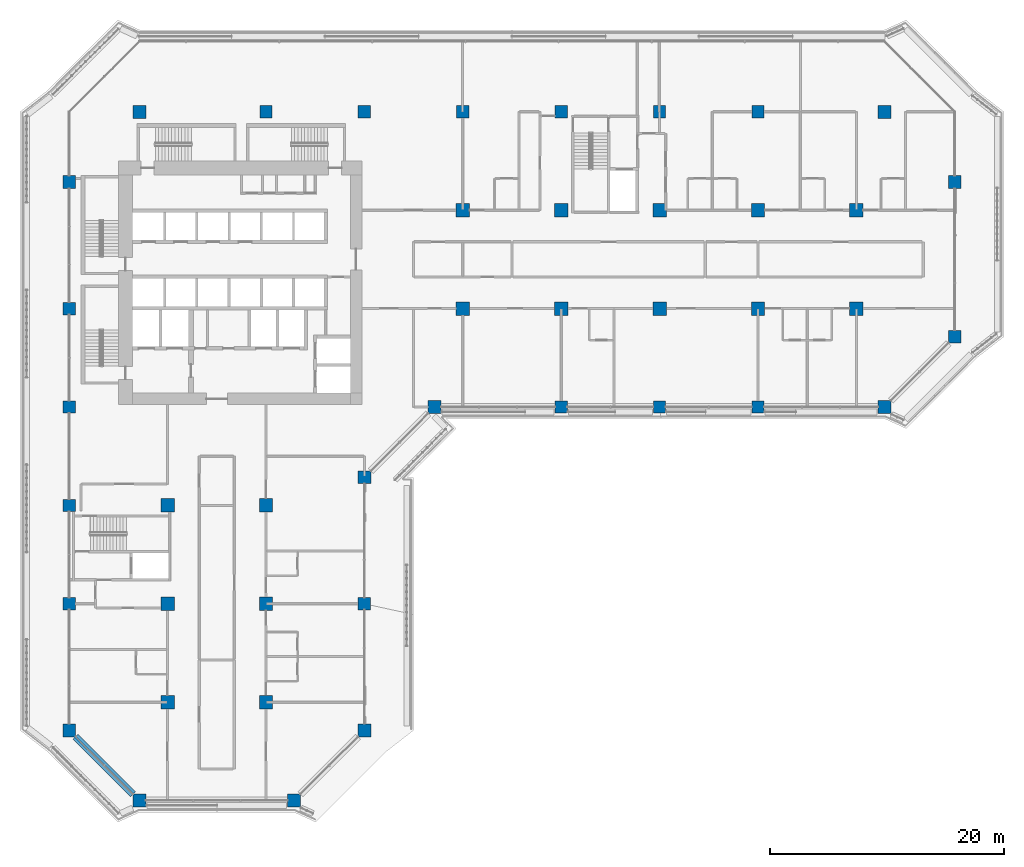
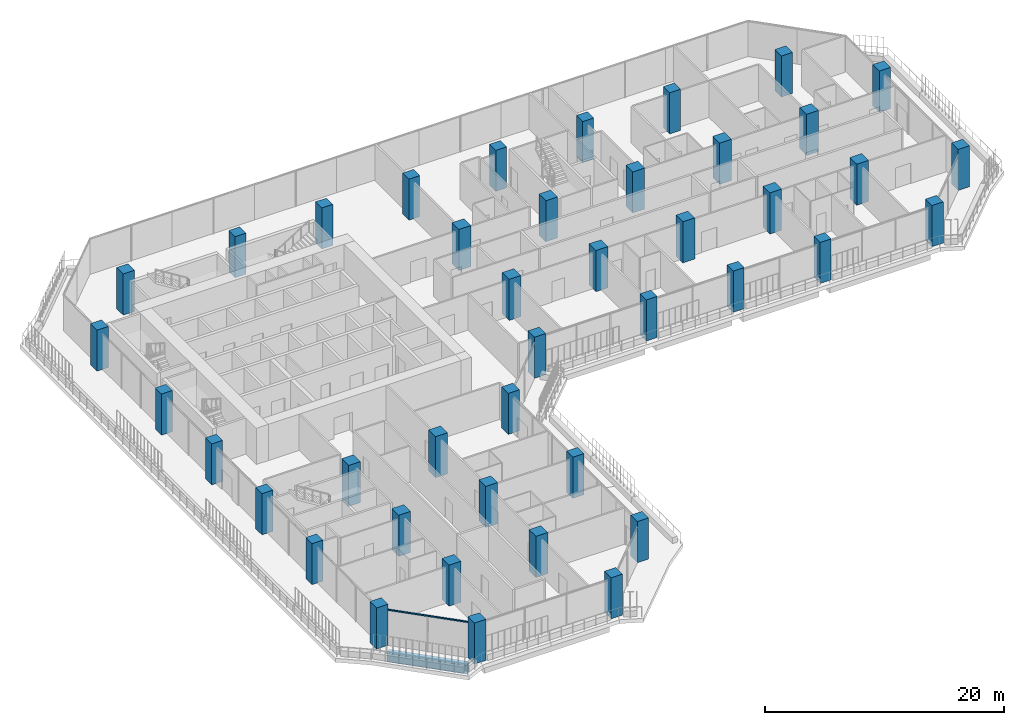
# One storey, part 1 of 23: 42 columns, 1 beam, 1 member, 1 element without a shape of its own.
"""IFC4 building model written with IfcOpenShell, lengths in metres."""

from ifc_helpers import new_model, si_unit, direction, frame, origin, origin_2d, place, context, subcontext, project, spatial, rectangle, extrude, material, layer, layer_set, material_profile, profile_set, type_object, element, aggregate, save


model = new_model("IFC4")

# Units and contexts
model_context = context("Model", 3, precision=1e-05, world=origin(), true_north=direction((0.0, 1.0)))
body_context = subcontext(model_context, "Body", "Model", "MODEL_VIEW")
ifc_project = project(units=[si_unit("LENGTHUNIT", "METRE"), si_unit("AREAUNIT", "SQUARE_METRE"), si_unit("VOLUMEUNIT", "CUBIC_METRE"), si_unit("PLANEANGLEUNIT", "RADIAN"), si_unit("MASSUNIT", "GRAM", prefix="KILO")], contexts=[model_context])

# Site, building, storey
site_placement = place(None, origin())
site = spatial("IfcSite", under=ifc_project, at=site_placement, CompositionType="ELEMENT")
building_placement = place(site_placement, origin())
building = spatial("IfcBuilding", under=site, at=building_placement, Name="Kawkab Arch Medical Tower", CompositionType="ELEMENT")
storey_placement = place(building_placement, frame((0.0, 0.0, 149.199951171875)))
storey = spatial("IfcBuildingStorey", under=building, at=storey_placement, Name="L34", CompositionType="ELEMENT", Elevation=149.199951171875)

# Columns
ifc_material_1 = material(Name="Concrete C55/67", Category="concrete")
ifc_material_profile_1 = material_profile(ifc_material_1, rectangle(XDim=1.050048828125, YDim=1.050048828125, at=origin_2d()), Name="RC 1050x1050")
ifc_profile_set_1 = profile_set([ifc_material_profile_1], Name="Concrete C55/67")
column_type_1 = type_object("IfcColumnType", Name="RC 1050x1050 column C55/67", PredefinedType="COLUMN", material=ifc_profile_set_1)
for number, where, z_axis, x_axis, name in (
    (1, (16.800048828125, 0.0, 0.0), (0.0, 0.0, 1.0), (1.0, 0.0, 0.0), "Column RC 1050x1050"),
    (2, (25.199951171875, 0.0, 0.0), (0.0, 0.0, 1.0), (1.0, 0.0, 0.0), "Column RC 1050x1050"),
    (3, (33.60009765625, 0.0, 0.0), (0.0, 0.0, 1.0), (1.0, 0.0, 0.0), "Column RC 1050x1050"),
    (4, (42.0, 0.0, 0.0), (0.0, 0.0, 1.0), (1.0, 0.0, 0.0), "Column RC 1050x1050"),
    (5, (50.39990234375, 0.0, 0.0), (0.0, 0.0, 1.0), (1.0, 0.0, 0.0), "Column RC 1050x1050"),
    (6, (58.800048828125, 0.0, 0.0), (0.0, 0.0, 1.0), (1.0, 0.0, 0.0), "Column RC 1050x1050"),
    (7, (0.0, -16.800048828125, 0.0), (0.0, 0.0, 1.0), (1.0, 0.0, 0.0), "Column RC 1050x1050"),
    (8, (0.0, -25.199951171875, 0.0), (0.0, 0.0, 1.0), (1.0, 0.0, 0.0), "Column RC 1050x1050"),
    (9, (42.0, -25.199951171875, 0.0), (0.0, 0.0, 1.0), (1.0, 0.0, 0.0), "Column RC 1050x1050"),
    (10, (50.39990234375, -25.199951171875, 0.0), (0.0, 0.0, 1.0), (1.0, 0.0, 0.0), "Column RC 1050x1050"),
    (11, (58.800048828125, -25.199951171875, 0.0), (0.0, 0.0, 1.0), (1.0, 0.0, 0.0), "Column RC 1050x1050"),
    (12, (0.0, -33.60009765625, 0.0), (0.0, 0.0, 1.0), (1.0, 0.0, 0.0), "Column RC 1050x1050"),
    (13, (0.0, -42.0, 0.0), (0.0, 0.0, 1.0), (1.0, 0.0, 0.0), "Column RC 1050x1050"),
    (14, (25.199951171875, -42.0, 0.0), (0.0, 0.0, 1.0), (1.0, 0.0, 0.0), "Column RC 1050x1050"),
):
    element("IfcColumn", number, at=place(storey_placement, frame(where, z_axis=z_axis, x_axis=x_axis)), inside=storey, type_object=column_type_1, Name=name, PredefinedType="COLUMN", context=body_context, shape_type="SweptSolid", body=[
        extrude(rectangle(XDim=1.050048828125, YDim=1.050048828125, at=origin_2d()), origin(), (0.0, 0.0, 1.0), 4.199951171875),
    ])
ifc_material_2 = material(Name="Concrete C55/67", Category="concrete")
ifc_material_profile_2 = material_profile(ifc_material_2, rectangle(XDim=1.10009765625, YDim=1.10009765625, at=origin_2d()), Name="RC 1100x1100")
ifc_profile_set_2 = profile_set([ifc_material_profile_2], Name="Concrete C55/67")
column_type_2 = type_object("IfcColumnType", Name="RC 1100x1100 column C55/67", PredefinedType="COLUMN", material=ifc_profile_set_2)
for number, where, z_axis, x_axis, name in (
    (15, (6.0, 0.0, 0.0), (0.0, 0.0, 1.0), (1.0, 0.0, 0.0), "Column RC 1100x1100"),
    (16, (69.60009765625, 0.0, 0.0), (0.0, 0.0, 1.0), (1.0, 0.0, 0.0), "Column RC 1100x1100"),
    (17, (0.0, -6.0, 0.0), (0.0, 0.0, 1.0), (1.0, 0.0, 0.0), "Column RC 1100x1100"),
    (18, (75.60009765625, -6.0, 0.0), (0.0, 0.0, 1.0), (1.0, 0.0, 0.0), "Column RC 1100x1100"),
    (19, (75.60009765625, -19.199951171875, 0.0), (0.0, 0.0, 1.0), (1.0, 0.0, 0.0), "Column RC 1100x1100"),
    (20, (31.199951171875, -25.199951171875, 0.0), (0.0, 0.0, 1.0), (1.0, 0.0, 0.0), "Column RC 1100x1100"),
    (21, (69.60009765625, -25.199951171875, 0.0), (0.0, 0.0, 1.0), (1.0, 0.0, 0.0), "Column RC 1100x1100"),
    (22, (25.199951171875, -31.199951171875, 0.0), (0.0, 0.0, 1.0), (1.0, 0.0, 0.0), "Column RC 1100x1100"),
    (23, (0.0, -52.800048828125, 0.0), (0.0, 0.0, 1.0), (1.0, 0.0, 0.0), "Column RC 1100x1100"),
    (24, (25.199951171875, -52.800048828125, 0.0), (0.0, 0.0, 1.0), (1.0, 0.0, 0.0), "Column RC 1100x1100"),
    (25, (6.0, -58.800048828125, 0.0), (0.0, 0.0, 1.0), (1.0, 0.0, 0.0), "Column RC 1100x1100"),
    (26, (19.199951171875, -58.800048828125, 0.0), (0.0, 0.0, 1.0), (1.0, 0.0, 0.0), "Column RC 1100x1100"),
):
    element("IfcColumn", number, at=place(storey_placement, frame(where, z_axis=z_axis, x_axis=x_axis)), inside=storey, type_object=column_type_2, Name=name, PredefinedType="COLUMN", context=body_context, shape_type="SweptSolid", body=[
        extrude(rectangle(XDim=1.10009765625, YDim=1.10009765625, at=origin_2d()), origin(), (0.0, 0.0, 1.0), 4.199951171875),
    ])
ifc_material_3 = material(Name="Concrete C55/67", Category="concrete")
ifc_material_profile_3 = material_profile(ifc_material_3, rectangle(XDim=1.14990234375, YDim=1.14990234375, at=origin_2d()), Name="RC 1150x1150")
ifc_profile_set_3 = profile_set([ifc_material_profile_3], Name="Concrete C55/67")
column_type_3 = type_object("IfcColumnType", Name="RC 1150x1150 column C55/67", PredefinedType="COLUMN", material=ifc_profile_set_3)
for number, where, z_axis, x_axis, name in (
    (27, (33.60009765625, -8.39990234375, 0.0), (0.0, 0.0, 1.0), (1.0, 0.0, 0.0), "Column RC 1150x1150"),
    (28, (42.0, -8.39990234375, 0.0), (0.0, 0.0, 1.0), (1.0, 0.0, 0.0), "Column RC 1150x1150"),
    (29, (50.39990234375, -8.39990234375, 0.0), (0.0, 0.0, 1.0), (1.0, 0.0, 0.0), "Column RC 1150x1150"),
    (30, (58.800048828125, -8.39990234375, 0.0), (0.0, 0.0, 1.0), (1.0, 0.0, 0.0), "Column RC 1150x1150"),
    (31, (67.199951171875, -8.39990234375, 0.0), (0.0, 0.0, 1.0), (1.0, 0.0, 0.0), "Column RC 1150x1150"),
    (32, (33.60009765625, -16.800048828125, 0.0), (0.0, 0.0, 1.0), (1.0, 0.0, 0.0), "Column RC 1150x1150"),
    (33, (42.0, -16.800048828125, 0.0), (0.0, 0.0, 1.0), (1.0, 0.0, 0.0), "Column RC 1150x1150"),
    (34, (50.39990234375, -16.800048828125, 0.0), (0.0, 0.0, 1.0), (1.0, 0.0, 0.0), "Column RC 1150x1150"),
    (35, (58.800048828125, -16.800048828125, 0.0), (0.0, 0.0, 1.0), (1.0, 0.0, 0.0), "Column RC 1150x1150"),
    (36, (67.199951171875, -16.800048828125, 0.0), (0.0, 0.0, 1.0), (1.0, 0.0, 0.0), "Column RC 1150x1150"),
    (37, (8.39990234375, -33.60009765625, 0.0), (0.0, 0.0, 1.0), (1.0, 0.0, 0.0), "Column RC 1150x1150"),
    (38, (16.800048828125, -33.60009765625, 0.0), (0.0, 0.0, 1.0), (1.0, 0.0, 0.0), "Column RC 1150x1150"),
    (39, (8.39990234375, -42.0, 0.0), (0.0, 0.0, 1.0), (1.0, 0.0, 0.0), "Column RC 1150x1150"),
    (40, (16.800048828125, -42.0, 0.0), (0.0, 0.0, 1.0), (1.0, 0.0, 0.0), "Column RC 1150x1150"),
    (41, (8.39990234375, -50.39990234375, 0.0), (0.0, 0.0, 1.0), (1.0, 0.0, 0.0), "Column RC 1150x1150"),
    (42, (16.800048828125, -50.39990234375, 0.0), (0.0, 0.0, 1.0), (1.0, 0.0, 0.0), "Column RC 1150x1150"),
):
    element("IfcColumn", number, at=place(storey_placement, frame(where, z_axis=z_axis, x_axis=x_axis)), inside=storey, type_object=column_type_3, Name=name, PredefinedType="COLUMN", context=body_context, shape_type="SweptSolid", body=[
        extrude(rectangle(XDim=1.14990234375, YDim=1.14990234375, at=origin_2d()), origin(), (0.0, 0.0, 1.0), 4.199951171875),
    ])

# Curtain wall, member
ifc_material_4 = material(Name="Bronze anodised aluminium curtain wall frame", Category="aluminium")
ifc_layer = layer(ifc_material_4, 0.159912109375)
ifc_layer_set = layer_set([ifc_layer], Name="Bronze anodised aluminium curtain wall frame")
curtain_wall_type = type_object("IfcCurtainWallType", Name="CW2 chamfer curtain wall", PredefinedType="NOTDEFINED", material=ifc_layer_set)
curtain_wall_placement = place(storey_placement, origin())
curtain_wall = element("IfcCurtainWall", 43, at=curtain_wall_placement, inside=storey, type_object=curtain_wall_type, Name="CW2 Chamfer curtain wall R02", PredefinedType="NOTDEFINED")
ifc_material_5 = material(Name="Bronze anodised aluminium curtain wall frame", Category="aluminium")
ifc_material_profile_4 = material_profile(ifc_material_5, rectangle(XDim=0.06005859375, YDim=0.139892578125, at=origin_2d()), Name="AL 60x140")
ifc_profile_set_4 = profile_set([ifc_material_profile_4], Name="Bronze anodised aluminium curtain wall frame")
member_type = type_object("IfcMemberType", Name="CW2 transom 140 x 60", PredefinedType="USERDEFINED", material=ifc_profile_set_4)
member_placement = place(storey_placement, frame((0.550048828125, -53.35009765625, 3.630126953125), z_axis=(0.707106781187, -0.707106781187, 0.0), x_axis=(0.707106781187, 0.707106781187, 0.0)))
member = element("IfcMember", 44, at=member_placement, type_object=member_type, Name="CW2 transom 1", ObjectType="TRANSOM", PredefinedType="USERDEFINED", context=body_context, shape_type="SweptSolid", body=[
    extrude(rectangle(XDim=0.06005859375, YDim=0.139892578125, at=origin_2d()), origin(), (0.0, 0.0, 1.0), 6.929443359375),
])
aggregate(curtain_wall, [member])

# Beam
ifc_material_6 = material(Name="Concrete C55/67", Category="concrete")
ifc_material_profile_5 = material_profile(ifc_material_6, rectangle(XDim=0.60009765625, YDim=0.89990234375, at=origin_2d()), Name="RC 600x900")
ifc_profile_set_5 = profile_set([ifc_material_profile_5], Name="Concrete C55/67")
beam_type = type_object("IfcBeamType", Name="RC 600x900 beam C55/67", PredefinedType="BEAM", material=ifc_profile_set_5)
beam_placement = place(storey_placement, frame((5.449951171875, -58.25, -1.050048828125), z_axis=(-0.707106781187, 0.707106781187, 0.0), x_axis=(-0.707106781187, -0.707106781187, 0.0)))
element("IfcBeam", 45, at=beam_placement, inside=storey, type_object=beam_type, Name="Overhang edge beam L34-09", PredefinedType="BEAM", context=body_context, shape_type="SweptSolid", body=[
    extrude(rectangle(XDim=0.60009765625, YDim=0.89990234375, at=origin_2d()), origin(), (0.0, 0.0, 1.0), 6.929443359375),
])

save(model, "model.ifc")
